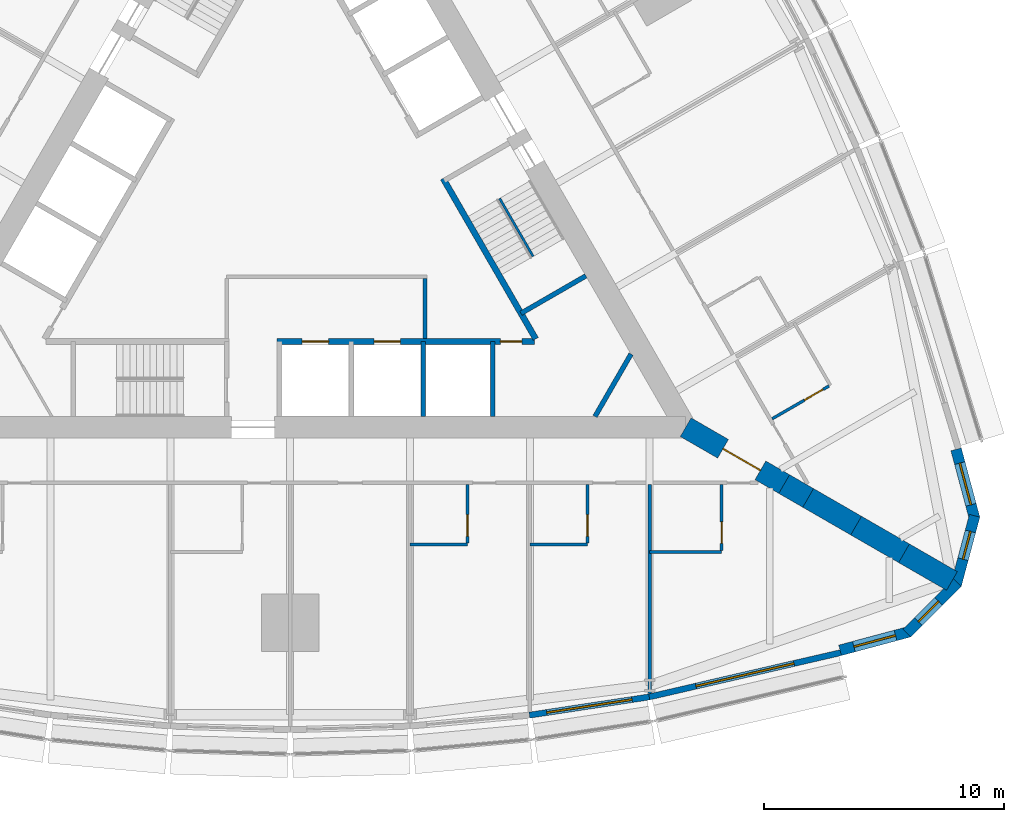
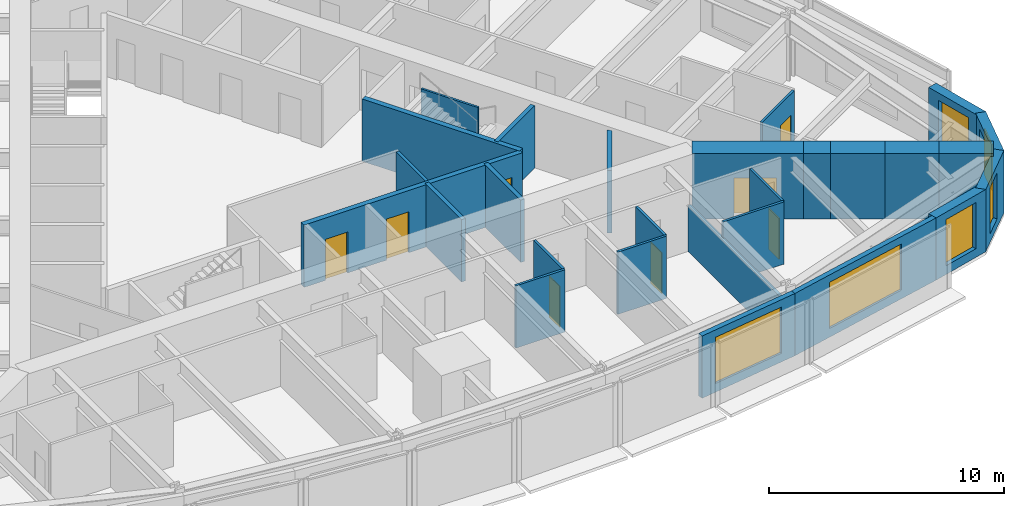
# One storey, part 10 of 14: 27 walls, 8 doors, 6 windows, 14 openings.
"""IFC4 building model written with IfcOpenShell, lengths in metres."""

from ifc_helpers import new_model, si_unit, direction, frame, frame_2d, origin, place, context, subcontext, project, spatial, polyline, rectangle, outline, extrude, material, layer, layer_set, type_object, element, fill, save


model = new_model("IFC4")

# Units and contexts
model_context = context("Model", 3, precision=1e-05, world=origin(), true_north=direction((0.0, 1.0)))
body_context = subcontext(model_context, "Body", "Model", "MODEL_VIEW")
ifc_project = project(units=[si_unit("LENGTHUNIT", "METRE"), si_unit("AREAUNIT", "SQUARE_METRE"), si_unit("VOLUMEUNIT", "CUBIC_METRE"), si_unit("PLANEANGLEUNIT", "RADIAN"), si_unit("MASSUNIT", "GRAM", prefix="KILO")], contexts=[model_context])

# Site, building, storey
site_placement = place(None, origin())
site = spatial("IfcSite", under=ifc_project, at=site_placement, CompositionType="ELEMENT")
building_placement = place(site_placement, origin())
building = spatial("IfcBuilding", under=site, at=building_placement, Name="Trikona Tower", CompositionType="ELEMENT")
storey_placement = place(building_placement, frame((0.0, 0.0, 82.89990234375)))
storey = spatial("IfcBuildingStorey", under=building, at=storey_placement, Name="L21", CompositionType="ELEMENT", Elevation=82.89990234375)

# Wall
ifc_material_1 = material(Name="Metal stud and cement board", Category="gypsum")
ifc_layer_1 = layer(ifc_material_1, 0.1201171875)
ifc_layer_set_1 = layer_set([ifc_layer_1], Name="Bathroom wall 120")
wall_type_1 = type_object("IfcWallType", Name="Bathroom wall 120", PredefinedType="PLUMBINGWALL", material=ifc_layer_set_1)
wall_1_placement = place(storey_placement, frame((5.0, -14.42626953125, 0.0), z_axis=(0.0, 0.0, 1.0), x_axis=(1.0, 0.0, 0.0)))
element("IfcWall", 1, at=wall_1_placement, inside=storey, type_object=wall_type_1, Name="Bathroom wall 2104", PredefinedType="PLUMBINGWALL", context=body_context, shape_type="SweptSolid", body=[
    extrude(rectangle(XDim=2.39990234375, YDim=0.1201171875, at=frame_2d((1.199951171875, 0.0))), origin(), (0.0, 0.0, 1.0), 3.235107421875),
])

# Wall, opening, door
wall_2_placement = place(storey_placement, frame((7.39990234375, -11.92626953125, 0.0), z_axis=(0.0, 0.0, 1.0), x_axis=(0.0, -1.0, 0.0)))
wall_2 = element("IfcWall", 2, at=wall_2_placement, inside=storey, type_object=wall_type_1, Name="Bathroom wall 2104", PredefinedType="PLUMBINGWALL", context=body_context, shape_type="SweptSolid", body=[
    extrude(rectangle(XDim=2.43994140625, YDim=0.1201171875, at=frame_2d((1.219970703125, 0.0))), origin(), (0.0, 0.0, 1.0), 3.235107421875),
])
opening_1_placement = place(wall_2_placement, frame((1.25, 0.0, 0.0)))
opening_1 = element("IfcOpeningElement", 3, at=opening_1_placement, cuts=wall_2, Name="Opening D2", PredefinedType="OPENING", context=body_context, shape_type="SweptSolid", body=[
    extrude(rectangle(XDim=0.89990234375, YDim=2.1298828125, at=frame_2d((0.449951171875, 1.06494140625))), frame((0.0, 0.070068359375, 0.0), z_axis=(0.0, -1.0, 0.0), x_axis=(1.0, 0.0, 0.0)), (0.0, 0.0, 1.0), 0.14013671875),
])
ifc_material_2 = material(Name="Steel door frame with solid-core timber leaf", Category="steel")
door_type_1 = type_object("IfcDoorType", Name="Bathroom door 900x2130", OperationType="SLIDING_TO_LEFT", PredefinedType="DOOR", material=ifc_material_2)
door_1_placement = place(opening_1_placement, origin())
door_1 = element("IfcDoor", 4, at=door_1_placement, inside=storey, type_object=door_type_1, Name="Bathroom door 2104", OperationType="SLIDING_TO_LEFT", OverallHeight=2.1298828125, OverallWidth=0.89990234375, PredefinedType="DOOR", context=body_context, shape_type="SweptSolid", body=[
    extrude(rectangle(XDim=0.89990234375, YDim=2.1298828125, at=frame_2d((0.449951171875, 1.06494140625))), frame((0.0, 0.02490234375, 0.0), z_axis=(0.0, -1.0, 0.0), x_axis=(1.0, 0.0, 0.0)), (0.0, 0.0, 1.0), 0.050048828125),
])
fill(opening_1, door_1)

# Wall
wall_3_placement = place(storey_placement, frame((10.0, -14.42626953125, 0.0), z_axis=(0.0, 0.0, 1.0), x_axis=(1.0, 0.0, 0.0)))
element("IfcWall", 5, at=wall_3_placement, inside=storey, type_object=wall_type_1, Name="Bathroom wall 2105", PredefinedType="PLUMBINGWALL", context=body_context, shape_type="SweptSolid", body=[
    extrude(rectangle(XDim=2.39990234375, YDim=0.1201171875, at=frame_2d((1.199951171875, 0.0))), origin(), (0.0, 0.0, 1.0), 3.235107421875),
])

# Wall, opening, door
wall_4_placement = place(storey_placement, frame((12.39990234375, -11.92626953125, 0.0), z_axis=(0.0, 0.0, 1.0), x_axis=(0.0, -1.0, 0.0)))
wall_4 = element("IfcWall", 6, at=wall_4_placement, inside=storey, type_object=wall_type_1, Name="Bathroom wall 2105", PredefinedType="PLUMBINGWALL", context=body_context, shape_type="SweptSolid", body=[
    extrude(rectangle(XDim=2.43994140625, YDim=0.1201171875, at=frame_2d((1.219970703125, 0.0))), origin(), (0.0, 0.0, 1.0), 3.235107421875),
])
opening_2_placement = place(wall_4_placement, frame((1.25, 0.0, 0.0)))
opening_2 = element("IfcOpeningElement", 7, at=opening_2_placement, cuts=wall_4, Name="Opening D2", PredefinedType="OPENING", context=body_context, shape_type="SweptSolid", body=[
    extrude(rectangle(XDim=0.89990234375, YDim=2.1298828125, at=frame_2d((0.449951171875, 1.06494140625))), frame((0.0, 0.070068359375, 0.0), z_axis=(0.0, -1.0, 0.0), x_axis=(1.0, 0.0, 0.0)), (0.0, 0.0, 1.0), 0.14013671875),
])
door_2_placement = place(opening_2_placement, origin())
door_2 = element("IfcDoor", 8, at=door_2_placement, inside=storey, type_object=door_type_1, Name="Bathroom door 2105", OperationType="SLIDING_TO_LEFT", OverallHeight=2.1298828125, OverallWidth=0.89990234375, PredefinedType="DOOR", context=body_context, shape_type="SweptSolid", body=[
    extrude(rectangle(XDim=0.89990234375, YDim=2.1298828125, at=frame_2d((0.449951171875, 1.06494140625))), frame((0.0, 0.02490234375, 0.0), z_axis=(0.0, -1.0, 0.0), x_axis=(1.0, 0.0, 0.0)), (0.0, 0.0, 1.0), 0.050048828125),
])
fill(opening_2, door_2)

# Wall
wall_5_placement = place(storey_placement, frame((15.0, -14.726318359375, 0.0), z_axis=(0.0, 0.0, 1.0), x_axis=(1.0, 0.0, 0.0)))
element("IfcWall", 9, at=wall_5_placement, inside=storey, type_object=wall_type_1, Name="Bathroom wall 2106", PredefinedType="PLUMBINGWALL", context=body_context, shape_type="SweptSolid", body=[
    extrude(rectangle(XDim=3.0, YDim=0.1201171875, at=frame_2d((1.5, 0.0))), origin(), (0.0, 0.0, 1.0), 3.235107421875),
])

# Wall, opening, door
wall_6_placement = place(storey_placement, frame((18.0, -11.92626953125, 0.0), z_axis=(0.0, 0.0, 1.0), x_axis=(0.0, -1.0, 0.0)))
wall_6 = element("IfcWall", 10, at=wall_6_placement, inside=storey, type_object=wall_type_1, Name="Bathroom wall 2106", PredefinedType="PLUMBINGWALL", context=body_context, shape_type="SweptSolid", body=[
    extrude(rectangle(XDim=2.739990234375, YDim=0.1201171875, at=frame_2d((1.3701171875, 0.0))), origin(), (0.0, 0.0, 1.0), 3.235107421875),
])
opening_3_placement = place(wall_6_placement, frame((1.550048828125, 0.0, 0.0)))
opening_3 = element("IfcOpeningElement", 11, at=opening_3_placement, cuts=wall_6, Name="Opening D2", PredefinedType="OPENING", context=body_context, shape_type="SweptSolid", body=[
    extrude(rectangle(XDim=0.89990234375, YDim=2.1298828125, at=frame_2d((0.449951171875, 1.06494140625))), frame((0.0, 0.070068359375, 0.0), z_axis=(0.0, -1.0, 0.0), x_axis=(1.0, 0.0, 0.0)), (0.0, 0.0, 1.0), 0.14013671875),
])
door_3_placement = place(opening_3_placement, origin())
door_3 = element("IfcDoor", 12, at=door_3_placement, inside=storey, type_object=door_type_1, Name="Bathroom door 2106", OperationType="SLIDING_TO_LEFT", OverallHeight=2.1298828125, OverallWidth=0.89990234375, PredefinedType="DOOR", context=body_context, shape_type="SweptSolid", body=[
    extrude(rectangle(XDim=0.89990234375, YDim=2.1298828125, at=frame_2d((0.449951171875, 1.06494140625))), frame((0.0, 0.02490234375, 0.0), z_axis=(0.0, -1.0, 0.0), x_axis=(1.0, 0.0, 0.0)), (0.0, 0.0, 1.0), 0.050048828125),
])
fill(opening_3, door_3)

wall_7_placement = place(storey_placement, frame((20.10791015625, -9.17529296875, 0.0), z_axis=(0.0, 0.0, 1.0), x_axis=(0.866035715982, 0.499982138324, 0.0)))
wall_7 = element("IfcWall", 13, at=wall_7_placement, inside=storey, type_object=wall_type_1, Name="Bathroom wall 2107", PredefinedType="PLUMBINGWALL", context=body_context, shape_type="SweptSolid", body=[
    extrude(rectangle(XDim=2.73974609375, YDim=0.1201171875, at=frame_2d((1.369873046875, 0.0))), origin(), (0.0, 0.0, 1.0), 3.235107421875),
])
opening_4_placement = place(wall_7_placement, frame((1.550048828125, 0.0, 0.0)))
opening_4 = element("IfcOpeningElement", 14, at=opening_4_placement, cuts=wall_7, Name="Opening D2", PredefinedType="OPENING", context=body_context, shape_type="SweptSolid", body=[
    extrude(rectangle(XDim=0.89990234375, YDim=2.1298828125, at=frame_2d((0.449951171875, 1.06494140625))), frame((0.0, 0.070068359375, 0.0), z_axis=(0.0, -1.0, 0.0), x_axis=(1.0, 0.0, 0.0)), (0.0, 0.0, 1.0), 0.14013671875),
])
door_4_placement = place(opening_4_placement, origin())
door_4 = element("IfcDoor", 15, at=door_4_placement, inside=storey, type_object=door_type_1, Name="Bathroom door 2107", OperationType="SLIDING_TO_LEFT", OverallHeight=2.1298828125, OverallWidth=0.89990234375, PredefinedType="DOOR", context=body_context, shape_type="SweptSolid", body=[
    extrude(rectangle(XDim=0.89990234375, YDim=2.1298828125, at=frame_2d((0.449951171875, 1.06494140625))), frame((0.0, 0.02490234375, 0.0), z_axis=(0.0, -1.0, 0.0), x_axis=(1.0, 0.0, 0.0)), (0.0, 0.0, 1.0), 0.050048828125),
])
fill(opening_4, door_4)

# Wall, opening, window
ifc_material_3 = material(Name="Brick-faced precast concrete", Category="masonry")
ifc_layer_2 = layer(ifc_material_3, 0.449951171875)
ifc_layer_set_2 = layer_set([ifc_layer_2], Name="Brick-faced corner wall 450")
wall_type_2 = type_object("IfcWallType", Name="Brick-faced corner wall 450", PredefinedType="SOLIDWALL", material=ifc_layer_set_2)
wall_8_placement = place(storey_placement, frame((22.94189453125, -18.835205078125, 0.0), z_axis=(0.0, 0.0, 1.0), x_axis=(0.965930548995, 0.258801419081, 0.0)))
wall_8 = element("IfcWall", 16, at=wall_8_placement, inside=storey, type_object=wall_type_2, Name="External wall L21-08", PredefinedType="SOLIDWALL", context=body_context, shape_type="SweptSolid", body=[
    extrude(rectangle(XDim=2.988525390625, YDim=0.449951171875, at=frame_2d((1.494140625, 0.0))), origin(), (0.0, 0.0, 1.0), 3.235107421875),
])
opening_5_placement = place(wall_8_placement, frame((0.59423828125, 0.0, 0.449951171875)))
opening_5 = element("IfcOpeningElement", 17, at=opening_5_placement, cuts=wall_8, Name="Opening W1824", PredefinedType="OPENING", context=body_context, shape_type="SweptSolid", body=[
    extrude(rectangle(XDim=1.800048828125, YDim=2.39990234375, at=frame_2d((0.89990234375, 1.199951171875))), frame((0.0, 0.23486328125, 0.0), z_axis=(0.0, -1.0, 0.0), x_axis=(1.0, 0.0, 0.0)), (0.0, 0.0, 1.0), 0.469970703125),
])
ifc_material_4 = material(Name="Aluminium-framed double glazing", Category="aluminium")
window_type_1 = type_object("IfcWindowType", Name="Window 1800x2400", PartitioningType="SINGLE_PANEL", PredefinedType="WINDOW", material=ifc_material_4)
window_1_placement = place(opening_5_placement, origin())
window_1 = element("IfcWindow", 18, at=window_1_placement, inside=storey, type_object=window_type_1, Name="Window 2106", OverallHeight=2.39990234375, OverallWidth=1.800048828125, PartitioningType="SINGLE_PANEL", PredefinedType="WINDOW", context=body_context, shape_type="SweptSolid", body=[
    extrude(rectangle(XDim=1.800048828125, YDim=2.39990234375, at=frame_2d((0.89990234375, 1.199951171875))), frame((0.0, 0.030029296875, 0.0), z_axis=(0.0, -1.0, 0.0), x_axis=(1.0, 0.0, 0.0)), (0.0, 0.0, 1.0), 0.06005859375),
])
fill(opening_5, window_1)

wall_9_placement = place(storey_placement, frame((25.727783203125, -18.1201171875, 0.0), z_axis=(0.0, 0.0, 1.0), x_axis=(0.707025086683, 0.707188466253, 0.0)))
wall_9 = element("IfcWall", 19, at=wall_9_placement, inside=storey, type_object=wall_type_2, Name="External wall L21-09", PredefinedType="SOLIDWALL", context=body_context, shape_type="SweptSolid", body=[
    extrude(outline(polyline([(2.988525390625, 0.22509765625), (2.929931640625, 0.22509765625), (2.4375, 0.093017578125), (2.402099609375, 0.22509765625), (0.0, 0.22509765625), (0.0, -0.22509765625), (2.988525390625, -0.22509765625), (2.988525390625, 0.22509765625)])), origin(), (0.0, 0.0, 1.0), 3.235107421875),
])
opening_6_placement = place(wall_9_placement, frame((0.676025390625, 0.0, 0.449951171875)))
opening_6 = element("IfcOpeningElement", 20, at=opening_6_placement, cuts=wall_9, Name="Opening W1224", PredefinedType="OPENING", context=body_context, shape_type="SweptSolid", body=[
    extrude(rectangle(XDim=1.199951171875, YDim=2.39990234375, at=frame_2d((0.60009765625, 1.199951171875))), frame((0.0, 0.23486328125, 0.0), z_axis=(0.0, -1.0, 0.0), x_axis=(1.0, 0.0, 0.0)), (0.0, 0.0, 1.0), 0.469970703125),
])
ifc_material_5 = material(Name="Aluminium-framed double glazing", Category="aluminium")
window_type_2 = type_object("IfcWindowType", Name="Window 1200x2400", PartitioningType="SINGLE_PANEL", PredefinedType="WINDOW", material=ifc_material_5)
window_2_placement = place(opening_6_placement, origin())
window_2 = element("IfcWindow", 21, at=window_2_placement, inside=storey, type_object=window_type_2, Name="Window 2106", OverallHeight=2.39990234375, OverallWidth=1.199951171875, PartitioningType="SINGLE_PANEL", PredefinedType="WINDOW", context=body_context, shape_type="SweptSolid", body=[
    extrude(rectangle(XDim=1.199951171875, YDim=2.39990234375, at=frame_2d((0.60009765625, 1.199951171875))), frame((0.0, 0.030029296875, 0.0), z_axis=(0.0, -1.0, 0.0), x_axis=(1.0, 0.0, 0.0)), (0.0, 0.0, 1.0), 0.06005859375),
])
fill(opening_6, window_2)

wall_10_placement = place(storey_placement, frame((27.78271484375, -16.107666015625, 0.0), z_axis=(0.0, 0.0, 1.0), x_axis=(0.258801419081, 0.965930548995, 0.0)))
wall_10 = element("IfcWall", 22, at=wall_10_placement, inside=storey, type_object=wall_type_2, Name="External wall L21-10", PredefinedType="SOLIDWALL", context=body_context, shape_type="SweptSolid", body=[
    extrude(outline(polyline([(2.988525390625, 0.22509765625), (0.58642578125, 0.22509765625), (0.55126953125, 0.09326171875), (0.0595703125, 0.22509765625), (0.0, 0.22509765625), (0.0, -0.22509765625), (2.988525390625, -0.22509765625), (2.988525390625, 0.22509765625)])), origin(), (0.0, 0.0, 1.0), 3.235107421875),
])
opening_7_placement = place(wall_10_placement, frame((1.112548828125, 0.0, 0.449951171875)))
opening_7 = element("IfcOpeningElement", 23, at=opening_7_placement, cuts=wall_10, Name="Opening W1224", PredefinedType="OPENING", context=body_context, shape_type="SweptSolid", body=[
    extrude(rectangle(XDim=1.199951171875, YDim=2.39990234375, at=frame_2d((0.60009765625, 1.199951171875))), frame((0.0, 0.23486328125, 0.0), z_axis=(0.0, -1.0, 0.0), x_axis=(1.0, 0.0, 0.0)), (0.0, 0.0, 1.0), 0.469970703125),
])
window_3_placement = place(opening_7_placement, origin())
window_3 = element("IfcWindow", 24, at=window_3_placement, inside=storey, type_object=window_type_2, Name="Window 2107", OverallHeight=2.39990234375, OverallWidth=1.199951171875, PartitioningType="SINGLE_PANEL", PredefinedType="WINDOW", context=body_context, shape_type="SweptSolid", body=[
    extrude(rectangle(XDim=1.199951171875, YDim=2.39990234375, at=frame_2d((0.60009765625, 1.199951171875))), frame((0.0, 0.030029296875, 0.0), z_axis=(0.0, -1.0, 0.0), x_axis=(1.0, 0.0, 0.0)), (0.0, 0.0, 1.0), 0.06005859375),
])
fill(opening_7, window_3)

wall_11_placement = place(storey_placement, frame((28.55615234375, -13.33740234375, 0.0), z_axis=(0.0, 0.0, 1.0), x_axis=(-0.258780998834, 0.965936019953, 0.0)))
wall_11 = element("IfcWall", 25, at=wall_11_placement, inside=storey, type_object=wall_type_2, Name="External wall L21-11", PredefinedType="SOLIDWALL", context=body_context, shape_type="SweptSolid", body=[
    extrude(rectangle(XDim=2.98876953125, YDim=0.449951171875, at=frame_2d((1.494384765625, 0.0))), origin(), (0.0, 0.0, 1.0), 3.235107421875),
])
opening_8_placement = place(wall_11_placement, frame((0.59423828125, 0.0, 0.449951171875)))
opening_8 = element("IfcOpeningElement", 26, at=opening_8_placement, cuts=wall_11, Name="Opening W1824", PredefinedType="OPENING", context=body_context, shape_type="SweptSolid", body=[
    extrude(rectangle(XDim=1.800048828125, YDim=2.39990234375, at=frame_2d((0.89990234375, 1.199951171875))), frame((0.0, 0.23486328125, 0.0), z_axis=(0.0, -1.0, 0.0), x_axis=(1.0, 0.0, 0.0)), (0.0, 0.0, 1.0), 0.469970703125),
])
window_4_placement = place(opening_8_placement, origin())
window_4 = element("IfcWindow", 27, at=window_4_placement, inside=storey, type_object=window_type_1, Name="Window 2107", OverallHeight=2.39990234375, OverallWidth=1.800048828125, PartitioningType="SINGLE_PANEL", PredefinedType="WINDOW", context=body_context, shape_type="SweptSolid", body=[
    extrude(rectangle(XDim=1.800048828125, YDim=2.39990234375, at=frame_2d((0.89990234375, 1.199951171875))), frame((0.0, 0.030029296875, 0.0), z_axis=(0.0, -1.0, 0.0), x_axis=(1.0, 0.0, 0.0)), (0.0, 0.0, 1.0), 0.06005859375),
])
fill(opening_8, window_4)

# Wall, opening, door
ifc_material_6 = material(Name="Concrete f'c 10000 psi", Category="concrete")
ifc_layer_3 = layer(ifc_material_6, 0.89990234375)
ifc_layer_set_3 = layer_set([ifc_layer_3], Name="Buttress wall 900")
wall_type_3 = type_object("IfcWallType", Name="Buttress wall 900", PredefinedType="SHEAR", material=ifc_layer_set_3)
wall_12_placement = place(storey_placement, frame((16.5, -9.5263671875, 0.0), z_axis=(0.0, 0.0, 1.0), x_axis=(0.866031398331, -0.499989616998, 0.0)))
wall_12 = element("IfcWall", 28, at=wall_12_placement, inside=storey, type_object=wall_type_3, Name="Buttress wall 1", PredefinedType="SHEAR", context=body_context, shape_type="SweptSolid", body=[
    extrude(rectangle(XDim=4.74609375, YDim=0.89990234375, at=frame_2d((2.373046875, 0.0))), origin(), (0.0, 0.0, 1.0), 3.400146484375),
])
opening_9_placement = place(wall_12_placement, frame((1.800048828125, 0.0, 0.0)))
opening_9 = element("IfcOpeningElement", 29, at=opening_9_placement, cuts=wall_12, Name="Opening D10", PredefinedType="OPENING", context=body_context, shape_type="SweptSolid", body=[
    extrude(rectangle(XDim=1.800048828125, YDim=2.1298828125, at=frame_2d((0.89990234375, 1.06494140625))), frame((0.0, 0.4599609375, 0.0), z_axis=(0.0, -1.0, 0.0), x_axis=(1.0, 0.0, 0.0)), (0.0, 0.0, 1.0), 0.919921875),
])
ifc_material_7 = material(Name="Hollow metal door and frame", Category="steel")
door_type_2 = type_object("IfcDoorType", Name="Cross-corridor door pair 1800x2130", OperationType="DOUBLE_DOOR_DOUBLE_SWING", PredefinedType="DOOR", material=ifc_material_7)
door_5_placement = place(opening_9_placement, origin())
door_5 = element("IfcDoor", 30, at=door_5_placement, inside=storey, type_object=door_type_2, Name="Cross-corridor door 1", OperationType="DOUBLE_DOOR_DOUBLE_SWING", OverallHeight=2.1298828125, OverallWidth=1.800048828125, PredefinedType="DOOR", context=body_context, shape_type="SweptSolid", body=[
    extrude(rectangle(XDim=1.800048828125, YDim=2.1298828125, at=frame_2d((0.89990234375, 1.06494140625))), frame((0.0, 0.02490234375, 0.0), z_axis=(0.0, -1.0, 0.0), x_axis=(1.0, 0.0, 0.0)), (0.0, 0.0, 1.0), 0.050048828125),
])
fill(opening_9, door_5)

# Walls
wall_13_placement = place(storey_placement, frame((20.6103515625, -11.8994140625, 0.0), z_axis=(0.0, 0.0, 1.0), x_axis=(0.866009537788, -0.500027479704, 0.0)))
element("IfcWall", 31, at=wall_13_placement, inside=storey, type_object=wall_type_3, Name="Buttress wall 1 part 2", PredefinedType="SHEAR", context=body_context, shape_type="SweptSolid", body=[
    extrude(rectangle(XDim=1.15478515625, YDim=0.89990234375, at=frame_2d((0.577392578125, 0.0))), origin(), (0.0, 0.0, 1.0), 3.400146484375),
])
for number, where, z_axis, x_axis, name in (
    (32, (21.6103515625, -12.476806640625, 0.0), (0.0, 0.0, 1.0), (0.866055313784, -0.499948190782, 0.0), "Buttress wall 1 part 3"),
    (33, (23.6103515625, -13.63134765625, 0.0), (0.0, 0.0, 1.0), (0.866009537788, -0.500027479704, 0.0), "Buttress wall 1 part 4"),
    (34, (25.6103515625, -14.7861328125, 0.0), (0.0, 0.0, 1.0), (0.866009537788, -0.500027479704, 0.0), "Buttress wall 1 part 5"),
):
    element("IfcWall", number, at=place(storey_placement, frame(where, z_axis=z_axis, x_axis=x_axis)), inside=storey, type_object=wall_type_3, Name=name, PredefinedType="SHEAR", context=body_context, shape_type="SweptSolid", body=[
        extrude(rectangle(XDim=2.309326171875, YDim=0.89990234375, at=frame_2d((1.15478515625, 0.0))), origin(), (0.0, 0.0, 1.0), 3.400146484375),
    ])

# Wall, openings, doors
ifc_material_8 = material(Name="Concrete f'c 8000 psi", Category="concrete")
ifc_layer_4 = layer(ifc_material_8, 0.25)
ifc_layer_set_4 = layer_set([ifc_layer_4], Name="Hub wall 250")
wall_type_4 = type_object("IfcWallType", Name="Hub wall 250", PredefinedType="SOLIDWALL", material=ifc_layer_set_4)
wall_14_placement = place(storey_placement, frame((-0.550048828125, -5.951416015625, 0.0), z_axis=(0.0, 0.0, 1.0), x_axis=(1.0, 0.0, 0.0)))
wall_14 = element("IfcWall", 35, at=wall_14_placement, inside=storey, type_object=wall_type_4, Name="Lift lobby wall A2", PredefinedType="SOLIDWALL", context=body_context, shape_type="SweptSolid", body=[
    extrude(rectangle(XDim=10.73291015625, YDim=0.25, at=frame_2d((5.366455078125, 0.0))), origin(), (0.0, 0.0, 1.0), 3.235107421875),
])
opening_10_placement = place(wall_14_placement, frame((9.31396484375, 0.0, 0.0)))
opening_10 = element("IfcOpeningElement", 36, at=opening_10_placement, cuts=wall_14, Name="Opening D14", PredefinedType="OPENING", context=body_context, shape_type="SweptSolid", body=[
    extrude(rectangle(XDim=0.89990234375, YDim=2.1298828125, at=frame_2d((0.449951171875, 1.06494140625))), frame((0.0, 0.135009765625, 0.0), z_axis=(0.0, -1.0, 0.0), x_axis=(1.0, 0.0, 0.0)), (0.0, 0.0, 1.0), 0.27001953125),
])
opening_11_placement = place(wall_14_placement, frame((1.050048828125, 0.0, 0.0)))
opening_11 = element("IfcOpeningElement", 37, at=opening_11_placement, cuts=wall_14, Name="Opening LD", PredefinedType="OPENING", context=body_context, shape_type="SweptSolid", body=[
    extrude(rectangle(XDim=1.10009765625, YDim=2.1298828125, at=frame_2d((0.550048828125, 1.06494140625))), frame((0.0, 0.135009765625, 0.0), z_axis=(0.0, -1.0, 0.0), x_axis=(1.0, 0.0, 0.0)), (0.0, 0.0, 1.0), 0.27001953125),
])
opening_12_placement = place(wall_14_placement, frame((4.050048828125, 0.0, 0.0)))
opening_12 = element("IfcOpeningElement", 38, at=opening_12_placement, cuts=wall_14, Name="Opening LD", PredefinedType="OPENING", context=body_context, shape_type="SweptSolid", body=[
    extrude(rectangle(XDim=1.10009765625, YDim=2.1298828125, at=frame_2d((0.550048828125, 1.06494140625))), frame((0.0, 0.135009765625, 0.0), z_axis=(0.0, -1.0, 0.0), x_axis=(1.0, 0.0, 0.0)), (0.0, 0.0, 1.0), 0.27001953125),
])
ifc_material_9 = material(Name="Stainless steel lift landing door", Category="steel")
door_type_3 = type_object("IfcDoorType", Name="Lift landing door 1100x2130", OperationType="DOUBLE_DOOR_SLIDING", PredefinedType="USERDEFINED", material=ifc_material_9)
door_6_placement = place(opening_11_placement, origin())
door_6 = element("IfcDoor", 39, at=door_6_placement, inside=storey, type_object=door_type_3, Name="Lift landing door FF1", ObjectType="LIFT LANDING DOOR", OperationType="DOUBLE_DOOR_SLIDING", OverallHeight=2.1298828125, OverallWidth=1.10009765625, PredefinedType="USERDEFINED", context=body_context, shape_type="SweptSolid", body=[
    extrude(rectangle(XDim=1.10009765625, YDim=2.1298828125, at=frame_2d((0.550048828125, 1.06494140625))), frame((0.0, 0.02490234375, 0.0), z_axis=(0.0, -1.0, 0.0), x_axis=(1.0, 0.0, 0.0)), (0.0, 0.0, 1.0), 0.050048828125),
])
fill(opening_11, door_6)
door_7_placement = place(opening_12_placement, origin())
door_7 = element("IfcDoor", 40, at=door_7_placement, inside=storey, type_object=door_type_3, Name="Lift landing door FF2", ObjectType="LIFT LANDING DOOR", OperationType="DOUBLE_DOOR_SLIDING", OverallHeight=2.1298828125, OverallWidth=1.10009765625, PredefinedType="USERDEFINED", context=body_context, shape_type="SweptSolid", body=[
    extrude(rectangle(XDim=1.10009765625, YDim=2.1298828125, at=frame_2d((0.550048828125, 1.06494140625))), frame((0.0, 0.02490234375, 0.0), z_axis=(0.0, -1.0, 0.0), x_axis=(1.0, 0.0, 0.0)), (0.0, 0.0, 1.0), 0.050048828125),
])
fill(opening_12, door_7)
ifc_material_10 = material(Name="Hollow metal door and frame", Category="steel")
door_type_4 = type_object("IfcDoorType", Name="Service room door 900x2130", OperationType="SINGLE_SWING_LEFT", PredefinedType="DOOR", material=ifc_material_10)
door_8_placement = place(opening_10_placement, origin())
door_8 = element("IfcDoor", 41, at=door_8_placement, inside=storey, type_object=door_type_4, Name="Door Housekeeping store HKS", OperationType="SINGLE_SWING_RIGHT", OverallHeight=2.1298828125, OverallWidth=0.89990234375, PredefinedType="DOOR", context=body_context, shape_type="SweptSolid", body=[
    extrude(rectangle(XDim=0.89990234375, YDim=2.1298828125, at=frame_2d((0.449951171875, 1.06494140625))), frame((0.0, 0.02490234375, 0.0), z_axis=(0.0, -1.0, 0.0), x_axis=(1.0, 0.0, 0.0)), (0.0, 0.0, 1.0), 0.050048828125),
])
fill(opening_10, door_8)

# Wall
wall_15_placement = place(storey_placement, frame((10.245361328125, -5.843017578125, 0.0), z_axis=(0.0, 0.0, 1.0), x_axis=(-0.499993009313, 0.866029439822, 0.0)))
element("IfcWall", 42, at=wall_15_placement, inside=storey, type_object=wall_type_4, Name="Lift lobby wall B1", PredefinedType="SOLIDWALL", context=body_context, shape_type="SweptSolid", body=[
    extrude(rectangle(XDim=7.73291015625, YDim=0.25, at=frame_2d((3.866455078125, 0.0))), origin(), (0.0, 0.0, 1.0), 3.235107421875),
])

# Wall, opening, window
ifc_material_11 = material(Name="Insulated precast concrete spandrel panel", Category="concrete")
ifc_layer_5 = layer(ifc_material_11, 0.25)
ifc_layer_set_5 = layer_set([ifc_layer_5], Name="Inner skin wall 250")
wall_type_5 = type_object("IfcWallType", Name="Inner skin wall 250", PredefinedType="STANDARD", material=ifc_layer_set_5)
wall_16_placement = place(storey_placement, frame((9.981201171875, -21.540283203125, 0.0), z_axis=(0.0, 0.0, 1.0), x_axis=(0.988615403399, 0.150464561152, 0.0)))
wall_16 = element("IfcWall", 43, at=wall_16_placement, inside=storey, type_object=wall_type_5, Name="External wall L21-06", PredefinedType="STANDARD", context=body_context, shape_type="SweptSolid", body=[
    extrude(rectangle(XDim=5.0576171875, YDim=0.25, at=frame_2d((2.52880859375, 0.0))), origin(), (0.0, 0.0, 1.0), 3.235107421875),
])
opening_13_placement = place(wall_16_placement, frame((0.728759765625, 0.0, 0.449951171875)))
opening_13 = element("IfcOpeningElement", 44, at=opening_13_placement, cuts=wall_16, Name="Opening W3624", PredefinedType="OPENING", context=body_context, shape_type="SweptSolid", body=[
    extrude(rectangle(XDim=3.60009765625, YDim=2.39990234375, at=frame_2d((1.800048828125, 1.199951171875))), frame((0.0, 0.135009765625, 0.0), z_axis=(0.0, -1.0, 0.0), x_axis=(1.0, 0.0, 0.0)), (0.0, 0.0, 1.0), 0.27001953125),
])
ifc_material_12 = material(Name="Aluminium-framed double glazing", Category="aluminium")
window_type_3 = type_object("IfcWindowType", Name="Window 3600x2400", PartitioningType="SINGLE_PANEL", PredefinedType="WINDOW", material=ifc_material_12)
window_5_placement = place(opening_13_placement, origin())
window_5 = element("IfcWindow", 45, at=window_5_placement, inside=storey, type_object=window_type_3, Name="Window 2105", OverallHeight=2.39990234375, OverallWidth=3.60009765625, PartitioningType="SINGLE_PANEL", PredefinedType="WINDOW", context=body_context, shape_type="SweptSolid", body=[
    extrude(rectangle(XDim=3.60009765625, YDim=2.39990234375, at=frame_2d((1.800048828125, 1.199951171875))), frame((0.0, 0.030029296875, 0.0), z_axis=(0.0, -1.0, 0.0), x_axis=(1.0, 0.0, 0.0)), (0.0, 0.0, 1.0), 0.06005859375),
])
fill(opening_13, window_5)

wall_17_placement = place(storey_placement, frame((14.9716796875, -20.78125, 0.0), z_axis=(0.0, 0.0, 1.0), x_axis=(0.974279327392, 0.225343720163, 0.0)))
wall_17 = element("IfcWall", 46, at=wall_17_placement, inside=storey, type_object=wall_type_5, Name="External wall L21-07", PredefinedType="STANDARD", context=body_context, shape_type="SweptSolid", body=[
    extrude(rectangle(XDim=8.211181640625, YDim=0.25, at=frame_2d((4.10546875, 0.0))), origin(), (0.0, 0.0, 1.0), 3.235107421875),
])
opening_14_placement = place(wall_17_placement, frame((2.005615234375, 0.0, 0.449951171875)))
opening_14 = element("IfcOpeningElement", 47, at=opening_14_placement, cuts=wall_17, Name="Opening W4224", PredefinedType="OPENING", context=body_context, shape_type="SweptSolid", body=[
    extrude(rectangle(XDim=4.199951171875, YDim=2.39990234375, at=frame_2d((2.10009765625, 1.199951171875))), frame((0.0, 0.135009765625, 0.0), z_axis=(0.0, -1.0, 0.0), x_axis=(1.0, 0.0, 0.0)), (0.0, 0.0, 1.0), 0.27001953125),
])
ifc_material_13 = material(Name="Aluminium-framed double glazing", Category="aluminium")
window_type_4 = type_object("IfcWindowType", Name="Window 4200x2400", PartitioningType="SINGLE_PANEL", PredefinedType="WINDOW", material=ifc_material_13)
window_6_placement = place(opening_14_placement, origin())
window_6 = element("IfcWindow", 48, at=window_6_placement, inside=storey, type_object=window_type_4, Name="Window 2106", OverallHeight=2.39990234375, OverallWidth=4.199951171875, PartitioningType="SINGLE_PANEL", PredefinedType="WINDOW", context=body_context, shape_type="SweptSolid", body=[
    extrude(rectangle(XDim=4.199951171875, YDim=2.39990234375, at=frame_2d((2.10009765625, 1.199951171875))), frame((0.0, 0.030029296875, 0.0), z_axis=(0.0, -1.0, 0.0), x_axis=(1.0, 0.0, 0.0)), (0.0, 0.0, 1.0), 0.06005859375),
])
fill(opening_14, window_6)

# Walls
ifc_material_14 = material(Name="Metal stud and gypsum board, 2-hour shaft wall", Category="gypsum")
ifc_layer_6 = layer(ifc_material_14, 0.14990234375)
ifc_layer_set_6 = layer_set([ifc_layer_6], Name="Lobby wall 150")
wall_type_6 = type_object("IfcWallType", Name="Lobby wall 150", PredefinedType="PARTITIONING", material=ifc_layer_set_6)
wall_18_placement = place(storey_placement, frame((5.625, -5.826416015625, 0.0), z_axis=(0.0, 0.0, 1.0), x_axis=(0.0, 1.0, 0.0)))
element("IfcWall", 49, at=wall_18_placement, inside=storey, type_object=wall_type_6, Name="Fire service lift lobby wall 3", PredefinedType="PARTITIONING", context=body_context, shape_type="SweptSolid", body=[
    extrude(rectangle(XDim=2.5, YDim=0.14990234375, at=frame_2d((1.25, 0.0))), origin(), (0.0, 0.0, 1.0), 3.235107421875),
])
ifc_material_15 = material(Name="Metal stud and gypsum board, 1-hour acoustic", Category="gypsum")
ifc_layer_7 = layer(ifc_material_15, 0.14990234375)
ifc_layer_set_7 = layer_set([ifc_layer_7], Name="Party wall 150")
wall_type_7 = type_object("IfcWallType", Name="Party wall 150", PredefinedType="PARTITIONING", material=ifc_layer_set_7)
wall_19_placement = place(storey_placement, frame((15.0, -11.92626953125, 0.0), z_axis=(0.0, 0.0, 1.0), x_axis=(0.0, -1.0, 0.0)))
element("IfcWall", 50, at=wall_19_placement, inside=storey, type_object=wall_type_7, Name="Partition L21 F1 u15", PredefinedType="PARTITIONING", context=body_context, shape_type="SweptSolid", body=[
    extrude(rectangle(XDim=8.72021484375, YDim=0.14990234375, at=frame_2d((4.360107421875, 0.0))), origin(), (0.0, 0.0, 1.0), 2.389404296875),
])
ifc_material_16 = material(Name="Concrete f'c 8000 psi", Category="concrete")
ifc_layer_8 = layer(ifc_material_16, 0.199951171875)
ifc_layer_set_8 = layer_set([ifc_layer_8], Name="Shaft wall 200")
wall_type_8 = type_object("IfcWallType", Name="Shaft wall 200", PredefinedType="SOLIDWALL", material=ifc_layer_set_8)
for number, where, z_axis, x_axis, name in (
    (51, (5.550048828125, -5.951416015625, 0.0), (0.0, 0.0, 1.0), (0.0, -1.0, 0.0), "Shaft wall A5"),
    (52, (8.449951171875, -5.951416015625, 0.0), (0.0, 0.0, 1.0), (0.0, -1.0, 0.0), "Shaft wall A6"),
):
    element("IfcWall", number, at=place(storey_placement, frame(where, z_axis=z_axis, x_axis=x_axis)), inside=storey, type_object=wall_type_8, Name=name, PredefinedType="SOLIDWALL", context=body_context, shape_type="SweptSolid", body=[
        extrude(rectangle(XDim=3.125, YDim=0.199951171875, at=frame_2d((1.5625, 0.0))), origin(), (0.0, 0.0, 1.0), 3.235107421875),
    ])
wall_20_placement = place(storey_placement, frame((14.219482421875, -6.476318359375, 0.0), z_axis=(0.0, 0.0, 1.0), x_axis=(-0.499952404951, -0.866052881055, 0.0)))
element("IfcWall", 53, at=wall_20_placement, inside=storey, type_object=wall_type_8, Name="Riser wall L21-RS1", PredefinedType="SOLIDWALL", context=body_context, shape_type="SweptSolid", body=[
    extrude(rectangle(XDim=3.002197265625, YDim=0.199951171875, at=frame_2d((1.5009765625, 0.0))), origin(), (0.0, 0.0, 1.0), 3.235107421875),
])
ifc_material_17 = material(Name="Concrete f'c 8000 psi", Category="concrete")
ifc_layer_9 = layer(ifc_material_17, 0.199951171875)
ifc_layer_set_9 = layer_set([ifc_layer_9], Name="Shaft wall 200 load-bearing")
wall_type_9 = type_object("IfcWallType", Name="Shaft wall 200 load-bearing", PredefinedType="SOLIDWALL", material=ifc_layer_set_9)
wall_21_placement = place(storey_placement, frame((9.62890625, -4.775390625, 0.0), z_axis=(0.0, 0.0, 1.0), x_axis=(0.866022959057, 0.500004234368, 0.0)))
element("IfcWall", 54, at=wall_21_placement, inside=storey, type_object=wall_type_9, Name="Shaft wall B1", PredefinedType="SOLIDWALL", context=body_context, shape_type="SweptSolid", body=[
    extrude(rectangle(XDim=3.125, YDim=0.199951171875, at=frame_2d((1.5625, 0.0))), origin(), (0.0, 0.0, 1.0), 3.235107421875),
])
ifc_material_18 = material(Name="Concrete f'c 5000 psi", Category="concrete")
ifc_layer_10 = layer(ifc_material_18, 0.10009765625)
ifc_layer_set_10 = layer_set([ifc_layer_10], Name="Stair spine wall 100")
wall_type_10 = type_object("IfcWallType", Name="Stair spine wall 100", PredefinedType="SOLIDWALL", material=ifc_layer_set_10)
wall_22_placement = place(storey_placement, frame((10.134765625, -2.4013671875, 0.0), z_axis=(0.0, 0.0, 1.0), x_axis=(-0.499992232847, 0.866029888106, 0.0)))
element("IfcWall", 55, at=wall_22_placement, inside=storey, type_object=wall_type_10, Name="Stair B spine wall L21", PredefinedType="SOLIDWALL", context=body_context, shape_type="SweptSolid", body=[
    extrude(rectangle(XDim=2.7939453125, YDim=0.10009765625, at=frame_2d((1.39697265625, 0.0))), origin(), (0.0, 0.0, 1.0), 3.400146484375),
])

save(model, "model.ifc")
